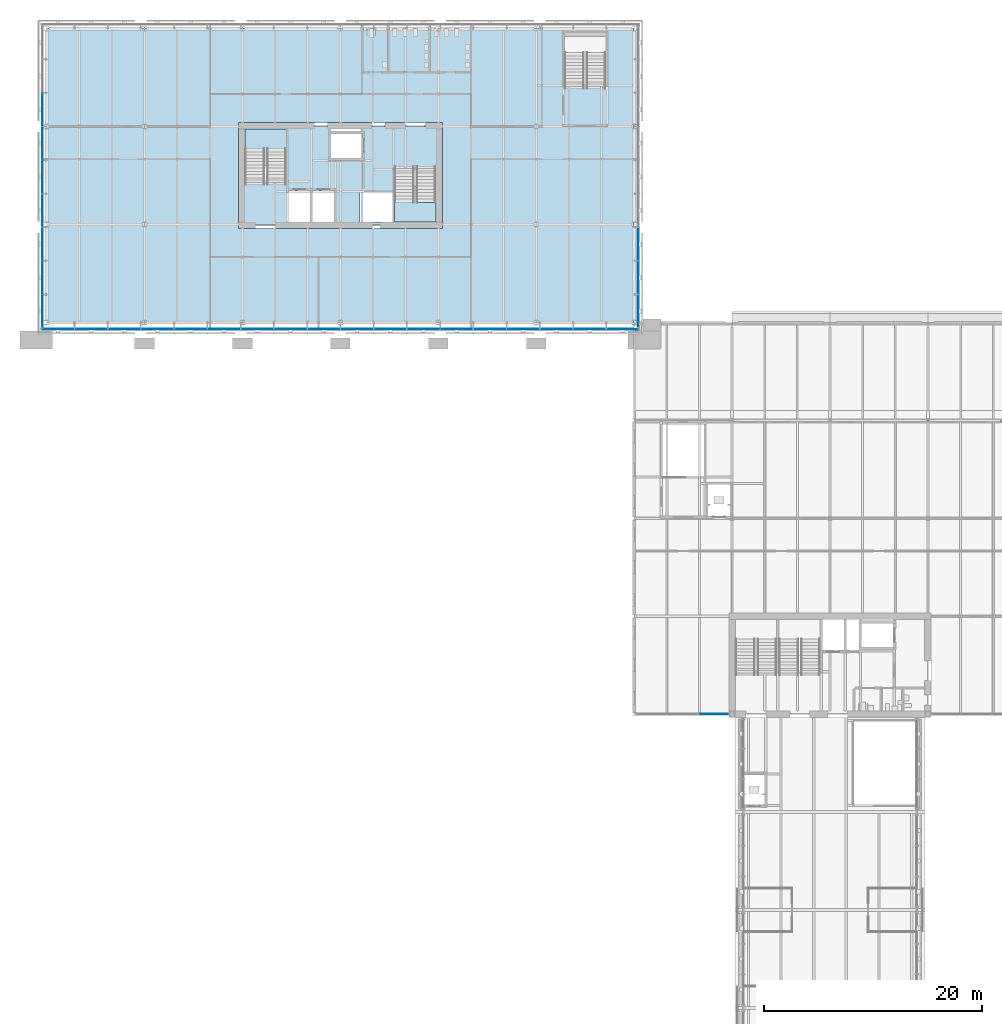
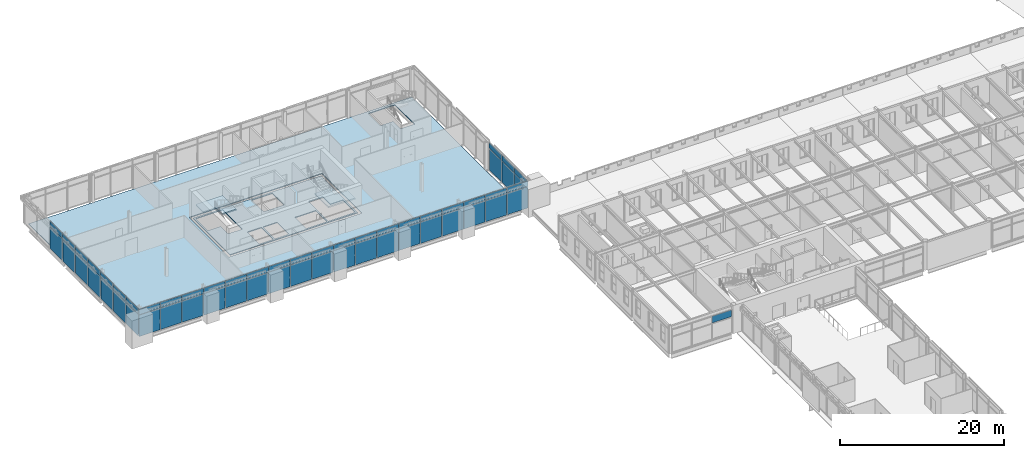
# One storey, part 54 of 123: 57 plates, 4 slabs, 6 elements without a shape of their own.
"""IFC4 building model written with IfcOpenShell, lengths in metres."""

from ifc_helpers import new_model, si_unit, direction, frame, origin, origin_2d, place, context, subcontext, project, spatial, polyline, rectangle, outline, extrude, material, layer, layer_set, type_object, element, aggregate, save


model = new_model("IFC4")

# Units and contexts
model_context = context("Model", 3, precision=1e-05, world=origin(), true_north=direction((0.0, 1.0)))
body_context = subcontext(model_context, "Body", "Model", "MODEL_VIEW")
ifc_project = project(units=[si_unit("LENGTHUNIT", "METRE"), si_unit("AREAUNIT", "SQUARE_METRE"), si_unit("VOLUMEUNIT", "CUBIC_METRE"), si_unit("PLANEANGLEUNIT", "RADIAN"), si_unit("MASSUNIT", "GRAM", prefix="KILO")], contexts=[model_context])

# Site, building, storey
site_placement = place(None, origin())
site = spatial("IfcSite", under=ifc_project, at=site_placement, CompositionType="ELEMENT")
building_placement = place(site_placement, origin())
building = spatial("IfcBuilding", under=site, at=building_placement, Name="Baradari Gate Terminus", CompositionType="ELEMENT")
storey_placement = place(building_placement, frame((0.0, 0.0, 7.5)))
storey = spatial("IfcBuildingStorey", under=building, at=storey_placement, Name="L01", CompositionType="ELEMENT", Elevation=7.5)

# Slabs
ifc_material_1 = material(Name="Concrete C35/45", Category="concrete")
ifc_layer_1 = layer(ifc_material_1, 0.1298828125)
ifc_layer_set_1 = layer_set([ifc_layer_1], Name="Concrete C35/45")
slab_type_1 = type_object("IfcSlabType", Name="Composite floor slab SL1 130", PredefinedType="FLOOR", material=ifc_layer_set_1)
slab_1_placement = place(storey_placement, frame((0.0, 0.0, -0.1298828125)))
element("IfcSlab", 1, at=slab_1_placement, inside=storey, type_object=slab_type_1, Name="Block floor", PredefinedType="FLOOR", context=body_context, shape_type="SweptSolid", body=[
    extrude(outline(polyline([(63.0, 117.0), (63.0, 144.0), (9.0, 144.0), (9.0, 117.0), (63.0, 117.0)]), holes=[polyline([(56.60009765625, 143.60009765625), (56.60009765625, 140.6201171875), (58.39990234375, 140.6201171875), (58.39990234375, 138.800048828125), (60.39990234375, 138.800048828125), (60.39990234375, 143.60009765625), (56.60009765625, 143.60009765625)]), polyline([(45.375, 134.77490234375), (45.375, 135.375), (26.625, 135.375), (26.625, 134.77490234375), (26.625, 126.22509765625), (26.625, 125.625), (45.375, 125.625), (45.375, 126.22509765625), (45.375, 134.77490234375)])]), origin(), (0.0, 0.0, 1.0), 0.1298828125),
])
slab_2_placement = place(storey_placement, frame((0.0, 0.0, -0.1298828125)))
element("IfcSlab", 2, at=slab_2_placement, inside=storey, type_object=slab_type_1, Name="Core floor CT", PredefinedType="FLOOR", context=body_context, shape_type="SweptSolid", body=[
    extrude(outline(polyline([(27.0, 135.0), (27.0, 126.0), (45.0, 126.0), (45.0, 135.0), (27.0, 135.0)]), holes=[polyline([(44.77490234375, 126.22509765625), (44.77490234375, 129.205078125), (42.97509765625, 129.205078125), (42.97509765625, 131.02490234375), (40.97509765625, 131.02490234375), (40.97509765625, 126.22509765625), (44.77490234375, 126.22509765625)]), polyline([(40.77490234375, 128.925048828125), (37.824951171875, 128.925048828125), (37.824951171875, 126.22509765625), (40.77490234375, 126.22509765625), (40.77490234375, 128.925048828125)]), polyline([(38.02490234375, 131.875), (38.02490234375, 134.77490234375), (35.125, 134.77490234375), (35.125, 131.875), (38.02490234375, 131.875)]), polyline([(35.425048828125, 129.125), (33.425048828125, 129.125), (33.425048828125, 126.22509765625), (35.425048828125, 126.22509765625), (35.425048828125, 129.125)]), polyline([(31.22509765625, 129.125), (31.22509765625, 126.22509765625), (33.22509765625, 126.22509765625), (33.22509765625, 129.125), (31.22509765625, 129.125)]), polyline([(27.22509765625, 134.77490234375), (27.22509765625, 131.794921875), (29.02490234375, 131.794921875), (29.02490234375, 129.97509765625), (31.02490234375, 129.97509765625), (31.02490234375, 134.77490234375), (27.22509765625, 134.77490234375)])]), origin(), (0.0, 0.0, 1.0), 0.1298828125),
])

# Curtain wall, plate
ifc_material_2 = material(Name="Aluminium 6063-T6", Category="aluminium")
curtain_wall_type_1 = type_object("IfcCurtainWallType", Name="Curtain wall CW-13 concourse gallery glazing", PredefinedType="NOTDEFINED", material=ifc_material_2)
curtain_wall_1_placement = place(storey_placement, origin())
curtain_wall_1 = element("IfcCurtainWall", 3, at=curtain_wall_1_placement, inside=storey, type_object=curtain_wall_type_1, Name="Glazed curtain wall CW-13 HS bay 8 L01", PredefinedType="NOTDEFINED")
ifc_material_3 = material(Name="Insulating glass unit", Category="glass")
ifc_layer_2 = layer(ifc_material_3, 0.0400390625)
ifc_layer_set_2 = layer_set([ifc_layer_2], Name="Insulating glass unit")
plate_type_1 = type_object("IfcPlateType", Name="Curtain wall glazing unit CP-13 40", PredefinedType="CURTAIN_PANEL", material=ifc_layer_set_2)
plate_1_placement = place(storey_placement, frame((70.29736328125, 81.0, 2.43994140625), z_axis=(0.0, 0.0, 1.0), x_axis=(1.0, 0.0, 0.0)))
plate_1 = element("IfcPlate", 4, at=plate_1_placement, type_object=plate_type_1, Name="CW-13 panel 3.2", PredefinedType="CURTAIN_PANEL", context=body_context, shape_type="SweptSolid", body=[
    extrude(rectangle(XDim=2.745361328125, YDim=0.0400390625, at=origin_2d()), origin(), (0.0, 0.0, 1.0), 0.996826171875),
])
aggregate(curtain_wall_1, [plate_1])

# Curtain wall, plates
ifc_material_4 = material(Name="Aluminium 6063-T6", Category="aluminium")
curtain_wall_type_2 = type_object("IfcCurtainWallType", Name="Curtain wall CW-9 block gallery storey", PredefinedType="NOTDEFINED", material=ifc_material_4)
curtain_wall_2_placement = place(storey_placement, origin())
curtain_wall_2 = element("IfcCurtainWall", 5, at=curtain_wall_2_placement, inside=storey, type_object=curtain_wall_type_2, Name="Curtain wall CW-9 Operations block S face L01", PredefinedType="NOTDEFINED")
ifc_material_5 = material(Name="Insulating glass unit", Category="glass")
ifc_layer_3 = layer(ifc_material_5, 0.02001953125)
ifc_layer_set_3 = layer_set([ifc_layer_3], Name="Insulating glass unit")
plate_type_2 = type_object("IfcPlateType", Name="Curtain wall glazing unit CP-9 20", PredefinedType="CURTAIN_PANEL", material=ifc_layer_set_3)
plate_2_placement = place(storey_placement, frame((10.050048828125, 116.367431640625, 0.06982421875), z_axis=(0.0, 0.0, 1.0), x_axis=(1.0, 0.0, 0.0)))
plate_2 = element("IfcPlate", 6, at=plate_2_placement, type_object=plate_type_2, Name="CW-9 panel 1.1", PredefinedType="CURTAIN_PANEL", context=body_context, shape_type="SweptSolid", body=[
    extrude(rectangle(XDim=2.949951171875, YDim=0.02001953125, at=origin_2d()), origin(), (0.0, 0.0, 1.0), 3.195068359375),
])
plate_3_placement = place(storey_placement, frame((13.08740234375, 116.367431640625, 0.06982421875), z_axis=(0.0, 0.0, 1.0), x_axis=(1.0, 0.0, 0.0)))
plate_3 = element("IfcPlate", 7, at=plate_3_placement, type_object=plate_type_2, Name="CW-9 panel 2.1", PredefinedType="CURTAIN_PANEL", context=body_context, shape_type="SweptSolid", body=[
    extrude(rectangle(XDim=2.985107421875, YDim=0.02001953125, at=origin_2d()), origin(), (0.0, 0.0, 1.0), 3.195068359375),
])
plate_4_placement = place(storey_placement, frame((16.142578125, 116.367431640625, 0.06982421875), z_axis=(0.0, 0.0, 1.0), x_axis=(1.0, 0.0, 0.0)))
plate_4 = element("IfcPlate", 8, at=plate_4_placement, type_object=plate_type_2, Name="CW-9 panel 3.1", PredefinedType="CURTAIN_PANEL", context=body_context, shape_type="SweptSolid", body=[
    extrude(rectangle(XDim=2.985107421875, YDim=0.02001953125, at=origin_2d()), origin(), (0.0, 0.0, 1.0), 3.195068359375),
])
plate_5_placement = place(storey_placement, frame((19.197509765625, 116.367431640625, 0.06982421875), z_axis=(0.0, 0.0, 1.0), x_axis=(1.0, 0.0, 0.0)))
plate_5 = element("IfcPlate", 9, at=plate_5_placement, type_object=plate_type_2, Name="CW-9 panel 4.1", PredefinedType="CURTAIN_PANEL", context=body_context, shape_type="SweptSolid", body=[
    extrude(rectangle(XDim=2.985107421875, YDim=0.02001953125, at=origin_2d()), origin(), (0.0, 0.0, 1.0), 3.195068359375),
])
plate_6_placement = place(storey_placement, frame((22.25244140625, 116.367431640625, 0.06982421875), z_axis=(0.0, 0.0, 1.0), x_axis=(1.0, 0.0, 0.0)))
plate_6 = element("IfcPlate", 10, at=plate_6_placement, type_object=plate_type_2, Name="CW-9 panel 5.1", PredefinedType="CURTAIN_PANEL", context=body_context, shape_type="SweptSolid", body=[
    extrude(rectangle(XDim=2.985107421875, YDim=0.02001953125, at=origin_2d()), origin(), (0.0, 0.0, 1.0), 3.195068359375),
])
plate_7_placement = place(storey_placement, frame((25.3076171875, 116.367431640625, 0.06982421875), z_axis=(0.0, 0.0, 1.0), x_axis=(1.0, 0.0, 0.0)))
plate_7 = element("IfcPlate", 11, at=plate_7_placement, type_object=plate_type_2, Name="CW-9 panel 6.1", PredefinedType="CURTAIN_PANEL", context=body_context, shape_type="SweptSolid", body=[
    extrude(rectangle(XDim=2.985107421875, YDim=0.02001953125, at=origin_2d()), origin(), (0.0, 0.0, 1.0), 3.195068359375),
])
plate_8_placement = place(storey_placement, frame((28.362548828125, 116.367431640625, 0.06982421875), z_axis=(0.0, 0.0, 1.0), x_axis=(1.0, 0.0, 0.0)))
plate_8 = element("IfcPlate", 12, at=plate_8_placement, type_object=plate_type_2, Name="CW-9 panel 7.1", PredefinedType="CURTAIN_PANEL", context=body_context, shape_type="SweptSolid", body=[
    extrude(rectangle(XDim=2.985107421875, YDim=0.02001953125, at=origin_2d()), origin(), (0.0, 0.0, 1.0), 3.195068359375),
])
plate_9_placement = place(storey_placement, frame((31.41748046875, 116.367431640625, 0.06982421875), z_axis=(0.0, 0.0, 1.0), x_axis=(1.0, 0.0, 0.0)))
plate_9 = element("IfcPlate", 13, at=plate_9_placement, type_object=plate_type_2, Name="CW-9 panel 8.1", PredefinedType="CURTAIN_PANEL", context=body_context, shape_type="SweptSolid", body=[
    extrude(rectangle(XDim=2.985107421875, YDim=0.02001953125, at=origin_2d()), origin(), (0.0, 0.0, 1.0), 3.195068359375),
])
plate_10_placement = place(storey_placement, frame((34.472412109375, 116.367431640625, 0.06982421875), z_axis=(0.0, 0.0, 1.0), x_axis=(1.0, 0.0, 0.0)))
plate_10 = element("IfcPlate", 14, at=plate_10_placement, type_object=plate_type_2, Name="CW-9 panel 9.1", PredefinedType="CURTAIN_PANEL", context=body_context, shape_type="SweptSolid", body=[
    extrude(rectangle(XDim=2.985107421875, YDim=0.02001953125, at=origin_2d()), origin(), (0.0, 0.0, 1.0), 3.195068359375),
])
plate_11_placement = place(storey_placement, frame((37.527587890625, 116.367431640625, 0.06982421875), z_axis=(0.0, 0.0, 1.0), x_axis=(1.0, 0.0, 0.0)))
plate_11 = element("IfcPlate", 15, at=plate_11_placement, type_object=plate_type_2, Name="CW-9 panel 10.1", PredefinedType="CURTAIN_PANEL", context=body_context, shape_type="SweptSolid", body=[
    extrude(rectangle(XDim=2.985107421875, YDim=0.02001953125, at=origin_2d()), origin(), (0.0, 0.0, 1.0), 3.195068359375),
])
plate_12_placement = place(storey_placement, frame((40.58251953125, 116.367431640625, 0.06982421875), z_axis=(0.0, 0.0, 1.0), x_axis=(1.0, 0.0, 0.0)))
plate_12 = element("IfcPlate", 16, at=plate_12_placement, type_object=plate_type_2, Name="CW-9 panel 11.1", PredefinedType="CURTAIN_PANEL", context=body_context, shape_type="SweptSolid", body=[
    extrude(rectangle(XDim=2.985107421875, YDim=0.02001953125, at=origin_2d()), origin(), (0.0, 0.0, 1.0), 3.195068359375),
])
plate_13_placement = place(storey_placement, frame((43.637451171875, 116.367431640625, 0.06982421875), z_axis=(0.0, 0.0, 1.0), x_axis=(1.0, 0.0, 0.0)))
plate_13 = element("IfcPlate", 17, at=plate_13_placement, type_object=plate_type_2, Name="CW-9 panel 12.1", PredefinedType="CURTAIN_PANEL", context=body_context, shape_type="SweptSolid", body=[
    extrude(rectangle(XDim=2.985107421875, YDim=0.02001953125, at=origin_2d()), origin(), (0.0, 0.0, 1.0), 3.195068359375),
])
plate_14_placement = place(storey_placement, frame((46.6923828125, 116.367431640625, 0.06982421875), z_axis=(0.0, 0.0, 1.0), x_axis=(1.0, 0.0, 0.0)))
plate_14 = element("IfcPlate", 18, at=plate_14_placement, type_object=plate_type_2, Name="CW-9 panel 13.1", PredefinedType="CURTAIN_PANEL", context=body_context, shape_type="SweptSolid", body=[
    extrude(rectangle(XDim=2.985107421875, YDim=0.02001953125, at=origin_2d()), origin(), (0.0, 0.0, 1.0), 3.195068359375),
])
plate_15_placement = place(storey_placement, frame((49.74755859375, 116.367431640625, 0.06982421875), z_axis=(0.0, 0.0, 1.0), x_axis=(1.0, 0.0, 0.0)))
plate_15 = element("IfcPlate", 19, at=plate_15_placement, type_object=plate_type_2, Name="CW-9 panel 14.1", PredefinedType="CURTAIN_PANEL", context=body_context, shape_type="SweptSolid", body=[
    extrude(rectangle(XDim=2.985107421875, YDim=0.02001953125, at=origin_2d()), origin(), (0.0, 0.0, 1.0), 3.195068359375),
])
plate_16_placement = place(storey_placement, frame((52.802490234375, 116.367431640625, 0.06982421875), z_axis=(0.0, 0.0, 1.0), x_axis=(1.0, 0.0, 0.0)))
plate_16 = element("IfcPlate", 20, at=plate_16_placement, type_object=plate_type_2, Name="CW-9 panel 15.1", PredefinedType="CURTAIN_PANEL", context=body_context, shape_type="SweptSolid", body=[
    extrude(rectangle(XDim=2.985107421875, YDim=0.02001953125, at=origin_2d()), origin(), (0.0, 0.0, 1.0), 3.195068359375),
])
plate_17_placement = place(storey_placement, frame((55.857421875, 116.367431640625, 0.06982421875), z_axis=(0.0, 0.0, 1.0), x_axis=(1.0, 0.0, 0.0)))
plate_17 = element("IfcPlate", 21, at=plate_17_placement, type_object=plate_type_2, Name="CW-9 panel 16.1", PredefinedType="CURTAIN_PANEL", context=body_context, shape_type="SweptSolid", body=[
    extrude(rectangle(XDim=2.985107421875, YDim=0.02001953125, at=origin_2d()), origin(), (0.0, 0.0, 1.0), 3.195068359375),
])
plate_18_placement = place(storey_placement, frame((58.91259765625, 116.367431640625, 0.06982421875), z_axis=(0.0, 0.0, 1.0), x_axis=(1.0, 0.0, 0.0)))
plate_18 = element("IfcPlate", 22, at=plate_18_placement, type_object=plate_type_2, Name="CW-9 panel 17.1", PredefinedType="CURTAIN_PANEL", context=body_context, shape_type="SweptSolid", body=[
    extrude(rectangle(XDim=2.985107421875, YDim=0.02001953125, at=origin_2d()), origin(), (0.0, 0.0, 1.0), 3.195068359375),
])
plate_19_placement = place(storey_placement, frame((61.949951171875, 116.367431640625, 0.06982421875), z_axis=(0.0, 0.0, 1.0), x_axis=(1.0, 0.0, 0.0)))
plate_19 = element("IfcPlate", 23, at=plate_19_placement, type_object=plate_type_2, Name="CW-9 panel 18.1", PredefinedType="CURTAIN_PANEL", context=body_context, shape_type="SweptSolid", body=[
    extrude(rectangle(XDim=2.949951171875, YDim=0.02001953125, at=origin_2d()), origin(), (0.0, 0.0, 1.0), 3.195068359375),
])

curtain_wall_3_placement = place(storey_placement, origin())
curtain_wall_3 = element("IfcCurtainWall", 24, at=curtain_wall_3_placement, inside=storey, type_object=curtain_wall_type_2, Name="Curtain wall CW-9 Operations block W face L01", PredefinedType="NOTDEFINED")
plate_20_placement = place(storey_placement, frame((8.617431640625, 118.04150390625, 0.06982421875), z_axis=(0.0, 0.0, 1.0), x_axis=(0.0, 1.0, 0.0)))
plate_20 = element("IfcPlate", 25, at=plate_20_placement, type_object=plate_type_2, Name="CW-9 panel 1.1", PredefinedType="CURTAIN_PANEL", context=body_context, shape_type="SweptSolid", body=[
    extrude(rectangle(XDim=2.982666015625, YDim=0.02001953125, at=origin_2d()), origin(), (0.0, 0.0, 1.0), 3.195068359375),
])
plate_21_placement = place(storey_placement, frame((8.617431640625, 121.111572265625, 0.06982421875), z_axis=(0.0, 0.0, 1.0), x_axis=(0.0, 1.0, 0.0)))
plate_21 = element("IfcPlate", 26, at=plate_21_placement, type_object=plate_type_2, Name="CW-9 panel 2.1", PredefinedType="CURTAIN_PANEL", context=body_context, shape_type="SweptSolid", body=[
    extrude(rectangle(XDim=3.017822265625, YDim=0.02001953125, at=origin_2d()), origin(), (0.0, 0.0, 1.0), 3.195068359375),
])
plate_22_placement = place(storey_placement, frame((8.617431640625, 124.199462890625, 0.06982421875), z_axis=(0.0, 0.0, 1.0), x_axis=(0.0, 1.0, 0.0)))
plate_22 = element("IfcPlate", 27, at=plate_22_placement, type_object=plate_type_2, Name="CW-9 panel 3.1", PredefinedType="CURTAIN_PANEL", context=body_context, shape_type="SweptSolid", body=[
    extrude(rectangle(XDim=3.017822265625, YDim=0.02001953125, at=origin_2d()), origin(), (0.0, 0.0, 1.0), 3.195068359375),
])
plate_23_placement = place(storey_placement, frame((8.617431640625, 127.287109375, 0.06982421875), z_axis=(0.0, 0.0, 1.0), x_axis=(0.0, 1.0, 0.0)))
plate_23 = element("IfcPlate", 28, at=plate_23_placement, type_object=plate_type_2, Name="CW-9 panel 4.1", PredefinedType="CURTAIN_PANEL", context=body_context, shape_type="SweptSolid", body=[
    extrude(rectangle(XDim=3.017822265625, YDim=0.02001953125, at=origin_2d()), origin(), (0.0, 0.0, 1.0), 3.195068359375),
])
plate_24_placement = place(storey_placement, frame((8.617431640625, 130.375, 0.06982421875), z_axis=(0.0, 0.0, 1.0), x_axis=(0.0, 1.0, 0.0)))
plate_24 = element("IfcPlate", 29, at=plate_24_placement, type_object=plate_type_2, Name="CW-9 panel 5.1", PredefinedType="CURTAIN_PANEL", context=body_context, shape_type="SweptSolid", body=[
    extrude(rectangle(XDim=3.017822265625, YDim=0.02001953125, at=origin_2d()), origin(), (0.0, 0.0, 1.0), 3.195068359375),
])
plate_25_placement = place(storey_placement, frame((8.617431640625, 133.462890625, 0.06982421875), z_axis=(0.0, 0.0, 1.0), x_axis=(0.0, 1.0, 0.0)))
plate_25 = element("IfcPlate", 30, at=plate_25_placement, type_object=plate_type_2, Name="CW-9 panel 6.1", PredefinedType="CURTAIN_PANEL", context=body_context, shape_type="SweptSolid", body=[
    extrude(rectangle(XDim=3.017822265625, YDim=0.02001953125, at=origin_2d()), origin(), (0.0, 0.0, 1.0), 3.195068359375),
])
plate_26_placement = place(storey_placement, frame((8.617431640625, 136.550537109375, 0.06982421875), z_axis=(0.0, 0.0, 1.0), x_axis=(0.0, 1.0, 0.0)))
plate_26 = element("IfcPlate", 31, at=plate_26_placement, type_object=plate_type_2, Name="CW-9 panel 7.1", PredefinedType="CURTAIN_PANEL", context=body_context, shape_type="SweptSolid", body=[
    extrude(rectangle(XDim=3.017822265625, YDim=0.02001953125, at=origin_2d()), origin(), (0.0, 0.0, 1.0), 3.195068359375),
])

curtain_wall_4_placement = place(storey_placement, origin())
curtain_wall_4 = element("IfcCurtainWall", 32, at=curtain_wall_4_placement, inside=storey, type_object=curtain_wall_type_2, Name="Curtain wall CW-9 Operations block E face L01", PredefinedType="NOTDEFINED")
plate_27_placement = place(storey_placement, frame((63.382568359375, 118.04150390625, 0.06982421875), z_axis=(0.0, 0.0, 1.0), x_axis=(0.0, 1.0, 0.0)))
plate_27 = element("IfcPlate", 33, at=plate_27_placement, type_object=plate_type_2, Name="CW-9 panel 1.1", PredefinedType="CURTAIN_PANEL", context=body_context, shape_type="SweptSolid", body=[
    extrude(rectangle(XDim=2.982666015625, YDim=0.02001953125, at=origin_2d()), origin(), (0.0, 0.0, 1.0), 3.195068359375),
])
plate_28_placement = place(storey_placement, frame((63.382568359375, 121.111572265625, 0.06982421875), z_axis=(0.0, 0.0, 1.0), x_axis=(0.0, 1.0, 0.0)))
plate_28 = element("IfcPlate", 34, at=plate_28_placement, type_object=plate_type_2, Name="CW-9 panel 2.1", PredefinedType="CURTAIN_PANEL", context=body_context, shape_type="SweptSolid", body=[
    extrude(rectangle(XDim=3.017822265625, YDim=0.02001953125, at=origin_2d()), origin(), (0.0, 0.0, 1.0), 3.195068359375),
])
plate_29_placement = place(storey_placement, frame((63.382568359375, 124.199462890625, 0.06982421875), z_axis=(0.0, 0.0, 1.0), x_axis=(0.0, 1.0, 0.0)))
plate_29 = element("IfcPlate", 35, at=plate_29_placement, type_object=plate_type_2, Name="CW-9 panel 3.1", PredefinedType="CURTAIN_PANEL", context=body_context, shape_type="SweptSolid", body=[
    extrude(rectangle(XDim=3.017822265625, YDim=0.02001953125, at=origin_2d()), origin(), (0.0, 0.0, 1.0), 3.195068359375),
])

# Plate
ifc_material_6 = material(Name="Back-painted glass", Category="glass")
ifc_layer_4 = layer(ifc_material_6, 0.070068359375)
ifc_layer_set_4 = layer_set([ifc_layer_4], Name="Back-painted glass")
plate_type_3 = type_object("IfcPlateType", Name="Curtain wall spandrel panel CP-S9 70", PredefinedType="CURTAIN_PANEL", material=ifc_layer_set_4)
plate_30_placement = place(storey_placement, frame((10.050048828125, 116.367431640625, 3.3349609375), z_axis=(0.0, 0.0, 1.0), x_axis=(1.0, 0.0, 0.0)))
plate_30 = element("IfcPlate", 36, at=plate_30_placement, type_object=plate_type_3, Name="CW-9 spandrel panel 1.2", PredefinedType="CURTAIN_PANEL", context=body_context, shape_type="SweptSolid", body=[
    extrude(rectangle(XDim=2.949951171875, YDim=0.070068359375, at=origin_2d()), origin(), (0.0, 0.0, 1.0), 0.794921875),
])

plate_31_placement = place(storey_placement, frame((13.08740234375, 116.367431640625, 3.3349609375), z_axis=(0.0, 0.0, 1.0), x_axis=(1.0, 0.0, 0.0)))
plate_31 = element("IfcPlate", 37, at=plate_31_placement, type_object=plate_type_3, Name="CW-9 spandrel panel 2.2", PredefinedType="CURTAIN_PANEL", context=body_context, shape_type="SweptSolid", body=[
    extrude(rectangle(XDim=2.985107421875, YDim=0.070068359375, at=origin_2d()), origin(), (0.0, 0.0, 1.0), 0.794921875),
])

plate_32_placement = place(storey_placement, frame((16.142578125, 116.367431640625, 3.3349609375), z_axis=(0.0, 0.0, 1.0), x_axis=(1.0, 0.0, 0.0)))
plate_32 = element("IfcPlate", 38, at=plate_32_placement, type_object=plate_type_3, Name="CW-9 spandrel panel 3.2", PredefinedType="CURTAIN_PANEL", context=body_context, shape_type="SweptSolid", body=[
    extrude(rectangle(XDim=2.985107421875, YDim=0.070068359375, at=origin_2d()), origin(), (0.0, 0.0, 1.0), 0.794921875),
])

plate_33_placement = place(storey_placement, frame((19.197509765625, 116.367431640625, 3.3349609375), z_axis=(0.0, 0.0, 1.0), x_axis=(1.0, 0.0, 0.0)))
plate_33 = element("IfcPlate", 39, at=plate_33_placement, type_object=plate_type_3, Name="CW-9 spandrel panel 4.2", PredefinedType="CURTAIN_PANEL", context=body_context, shape_type="SweptSolid", body=[
    extrude(rectangle(XDim=2.985107421875, YDim=0.070068359375, at=origin_2d()), origin(), (0.0, 0.0, 1.0), 0.794921875),
])

plate_34_placement = place(storey_placement, frame((22.25244140625, 116.367431640625, 3.3349609375), z_axis=(0.0, 0.0, 1.0), x_axis=(1.0, 0.0, 0.0)))
plate_34 = element("IfcPlate", 40, at=plate_34_placement, type_object=plate_type_3, Name="CW-9 spandrel panel 5.2", PredefinedType="CURTAIN_PANEL", context=body_context, shape_type="SweptSolid", body=[
    extrude(rectangle(XDim=2.985107421875, YDim=0.070068359375, at=origin_2d()), origin(), (0.0, 0.0, 1.0), 0.794921875),
])

plate_35_placement = place(storey_placement, frame((25.3076171875, 116.367431640625, 3.3349609375), z_axis=(0.0, 0.0, 1.0), x_axis=(1.0, 0.0, 0.0)))
plate_35 = element("IfcPlate", 41, at=plate_35_placement, type_object=plate_type_3, Name="CW-9 spandrel panel 6.2", PredefinedType="CURTAIN_PANEL", context=body_context, shape_type="SweptSolid", body=[
    extrude(rectangle(XDim=2.985107421875, YDim=0.070068359375, at=origin_2d()), origin(), (0.0, 0.0, 1.0), 0.794921875),
])

plate_36_placement = place(storey_placement, frame((28.362548828125, 116.367431640625, 3.3349609375), z_axis=(0.0, 0.0, 1.0), x_axis=(1.0, 0.0, 0.0)))
plate_36 = element("IfcPlate", 42, at=plate_36_placement, type_object=plate_type_3, Name="CW-9 spandrel panel 7.2", PredefinedType="CURTAIN_PANEL", context=body_context, shape_type="SweptSolid", body=[
    extrude(rectangle(XDim=2.985107421875, YDim=0.070068359375, at=origin_2d()), origin(), (0.0, 0.0, 1.0), 0.794921875),
])

plate_37_placement = place(storey_placement, frame((31.41748046875, 116.367431640625, 3.3349609375), z_axis=(0.0, 0.0, 1.0), x_axis=(1.0, 0.0, 0.0)))
plate_37 = element("IfcPlate", 43, at=plate_37_placement, type_object=plate_type_3, Name="CW-9 spandrel panel 8.2", PredefinedType="CURTAIN_PANEL", context=body_context, shape_type="SweptSolid", body=[
    extrude(rectangle(XDim=2.985107421875, YDim=0.070068359375, at=origin_2d()), origin(), (0.0, 0.0, 1.0), 0.794921875),
])

plate_38_placement = place(storey_placement, frame((34.472412109375, 116.367431640625, 3.3349609375), z_axis=(0.0, 0.0, 1.0), x_axis=(1.0, 0.0, 0.0)))
plate_38 = element("IfcPlate", 44, at=plate_38_placement, type_object=plate_type_3, Name="CW-9 spandrel panel 9.2", PredefinedType="CURTAIN_PANEL", context=body_context, shape_type="SweptSolid", body=[
    extrude(rectangle(XDim=2.985107421875, YDim=0.070068359375, at=origin_2d()), origin(), (0.0, 0.0, 1.0), 0.794921875),
])

plate_39_placement = place(storey_placement, frame((37.527587890625, 116.367431640625, 3.3349609375), z_axis=(0.0, 0.0, 1.0), x_axis=(1.0, 0.0, 0.0)))
plate_39 = element("IfcPlate", 45, at=plate_39_placement, type_object=plate_type_3, Name="CW-9 spandrel panel 10.2", PredefinedType="CURTAIN_PANEL", context=body_context, shape_type="SweptSolid", body=[
    extrude(rectangle(XDim=2.985107421875, YDim=0.070068359375, at=origin_2d()), origin(), (0.0, 0.0, 1.0), 0.794921875),
])

plate_40_placement = place(storey_placement, frame((40.58251953125, 116.367431640625, 3.3349609375), z_axis=(0.0, 0.0, 1.0), x_axis=(1.0, 0.0, 0.0)))
plate_40 = element("IfcPlate", 46, at=plate_40_placement, type_object=plate_type_3, Name="CW-9 spandrel panel 11.2", PredefinedType="CURTAIN_PANEL", context=body_context, shape_type="SweptSolid", body=[
    extrude(rectangle(XDim=2.985107421875, YDim=0.070068359375, at=origin_2d()), origin(), (0.0, 0.0, 1.0), 0.794921875),
])

plate_41_placement = place(storey_placement, frame((43.637451171875, 116.367431640625, 3.3349609375), z_axis=(0.0, 0.0, 1.0), x_axis=(1.0, 0.0, 0.0)))
plate_41 = element("IfcPlate", 47, at=plate_41_placement, type_object=plate_type_3, Name="CW-9 spandrel panel 12.2", PredefinedType="CURTAIN_PANEL", context=body_context, shape_type="SweptSolid", body=[
    extrude(rectangle(XDim=2.985107421875, YDim=0.070068359375, at=origin_2d()), origin(), (0.0, 0.0, 1.0), 0.794921875),
])

plate_42_placement = place(storey_placement, frame((46.6923828125, 116.367431640625, 3.3349609375), z_axis=(0.0, 0.0, 1.0), x_axis=(1.0, 0.0, 0.0)))
plate_42 = element("IfcPlate", 48, at=plate_42_placement, type_object=plate_type_3, Name="CW-9 spandrel panel 13.2", PredefinedType="CURTAIN_PANEL", context=body_context, shape_type="SweptSolid", body=[
    extrude(rectangle(XDim=2.985107421875, YDim=0.070068359375, at=origin_2d()), origin(), (0.0, 0.0, 1.0), 0.794921875),
])

plate_43_placement = place(storey_placement, frame((49.74755859375, 116.367431640625, 3.3349609375), z_axis=(0.0, 0.0, 1.0), x_axis=(1.0, 0.0, 0.0)))
plate_43 = element("IfcPlate", 49, at=plate_43_placement, type_object=plate_type_3, Name="CW-9 spandrel panel 14.2", PredefinedType="CURTAIN_PANEL", context=body_context, shape_type="SweptSolid", body=[
    extrude(rectangle(XDim=2.985107421875, YDim=0.070068359375, at=origin_2d()), origin(), (0.0, 0.0, 1.0), 0.794921875),
])

plate_44_placement = place(storey_placement, frame((52.802490234375, 116.367431640625, 3.3349609375), z_axis=(0.0, 0.0, 1.0), x_axis=(1.0, 0.0, 0.0)))
plate_44 = element("IfcPlate", 50, at=plate_44_placement, type_object=plate_type_3, Name="CW-9 spandrel panel 15.2", PredefinedType="CURTAIN_PANEL", context=body_context, shape_type="SweptSolid", body=[
    extrude(rectangle(XDim=2.985107421875, YDim=0.070068359375, at=origin_2d()), origin(), (0.0, 0.0, 1.0), 0.794921875),
])

plate_45_placement = place(storey_placement, frame((55.857421875, 116.367431640625, 3.3349609375), z_axis=(0.0, 0.0, 1.0), x_axis=(1.0, 0.0, 0.0)))
plate_45 = element("IfcPlate", 51, at=plate_45_placement, type_object=plate_type_3, Name="CW-9 spandrel panel 16.2", PredefinedType="CURTAIN_PANEL", context=body_context, shape_type="SweptSolid", body=[
    extrude(rectangle(XDim=2.985107421875, YDim=0.070068359375, at=origin_2d()), origin(), (0.0, 0.0, 1.0), 0.794921875),
])

plate_46_placement = place(storey_placement, frame((58.91259765625, 116.367431640625, 3.3349609375), z_axis=(0.0, 0.0, 1.0), x_axis=(1.0, 0.0, 0.0)))
plate_46 = element("IfcPlate", 52, at=plate_46_placement, type_object=plate_type_3, Name="CW-9 spandrel panel 17.2", PredefinedType="CURTAIN_PANEL", context=body_context, shape_type="SweptSolid", body=[
    extrude(rectangle(XDim=2.985107421875, YDim=0.070068359375, at=origin_2d()), origin(), (0.0, 0.0, 1.0), 0.794921875),
])

plate_47_placement = place(storey_placement, frame((61.949951171875, 116.367431640625, 3.3349609375), z_axis=(0.0, 0.0, 1.0), x_axis=(1.0, 0.0, 0.0)))
plate_47 = element("IfcPlate", 53, at=plate_47_placement, type_object=plate_type_3, Name="CW-9 spandrel panel 18.2", PredefinedType="CURTAIN_PANEL", context=body_context, shape_type="SweptSolid", body=[
    extrude(rectangle(XDim=2.949951171875, YDim=0.070068359375, at=origin_2d()), origin(), (0.0, 0.0, 1.0), 0.794921875),
])

aggregate(curtain_wall_2, [plate_2, plate_30, plate_3, plate_31, plate_4, plate_32, plate_5, plate_33, plate_6, plate_34, plate_7, plate_35, plate_8, plate_36, plate_9, plate_37, plate_10, plate_38, plate_11, plate_39, plate_12, plate_40, plate_13, plate_41, plate_14, plate_42, plate_15, plate_43, plate_16, plate_44, plate_17, plate_45, plate_18, plate_46, plate_19, plate_47])

plate_48_placement = place(storey_placement, frame((8.617431640625, 118.04150390625, 3.3349609375), z_axis=(0.0, 0.0, 1.0), x_axis=(0.0, 1.0, 0.0)))
plate_48 = element("IfcPlate", 54, at=plate_48_placement, type_object=plate_type_3, Name="CW-9 spandrel panel 1.2", PredefinedType="CURTAIN_PANEL", context=body_context, shape_type="SweptSolid", body=[
    extrude(rectangle(XDim=2.982666015625, YDim=0.070068359375, at=origin_2d()), origin(), (0.0, 0.0, 1.0), 0.794921875),
])

plate_49_placement = place(storey_placement, frame((8.617431640625, 121.111572265625, 3.3349609375), z_axis=(0.0, 0.0, 1.0), x_axis=(0.0, 1.0, 0.0)))
plate_49 = element("IfcPlate", 55, at=plate_49_placement, type_object=plate_type_3, Name="CW-9 spandrel panel 2.2", PredefinedType="CURTAIN_PANEL", context=body_context, shape_type="SweptSolid", body=[
    extrude(rectangle(XDim=3.017822265625, YDim=0.070068359375, at=origin_2d()), origin(), (0.0, 0.0, 1.0), 0.794921875),
])

plate_50_placement = place(storey_placement, frame((8.617431640625, 124.199462890625, 3.3349609375), z_axis=(0.0, 0.0, 1.0), x_axis=(0.0, 1.0, 0.0)))
plate_50 = element("IfcPlate", 56, at=plate_50_placement, type_object=plate_type_3, Name="CW-9 spandrel panel 3.2", PredefinedType="CURTAIN_PANEL", context=body_context, shape_type="SweptSolid", body=[
    extrude(rectangle(XDim=3.017822265625, YDim=0.070068359375, at=origin_2d()), origin(), (0.0, 0.0, 1.0), 0.794921875),
])

plate_51_placement = place(storey_placement, frame((8.617431640625, 127.287109375, 3.3349609375), z_axis=(0.0, 0.0, 1.0), x_axis=(0.0, 1.0, 0.0)))
plate_51 = element("IfcPlate", 57, at=plate_51_placement, type_object=plate_type_3, Name="CW-9 spandrel panel 4.2", PredefinedType="CURTAIN_PANEL", context=body_context, shape_type="SweptSolid", body=[
    extrude(rectangle(XDim=3.017822265625, YDim=0.070068359375, at=origin_2d()), origin(), (0.0, 0.0, 1.0), 0.794921875),
])

plate_52_placement = place(storey_placement, frame((8.617431640625, 130.375, 3.3349609375), z_axis=(0.0, 0.0, 1.0), x_axis=(0.0, 1.0, 0.0)))
plate_52 = element("IfcPlate", 58, at=plate_52_placement, type_object=plate_type_3, Name="CW-9 spandrel panel 5.2", PredefinedType="CURTAIN_PANEL", context=body_context, shape_type="SweptSolid", body=[
    extrude(rectangle(XDim=3.017822265625, YDim=0.070068359375, at=origin_2d()), origin(), (0.0, 0.0, 1.0), 0.794921875),
])

plate_53_placement = place(storey_placement, frame((8.617431640625, 133.462890625, 3.3349609375), z_axis=(0.0, 0.0, 1.0), x_axis=(0.0, 1.0, 0.0)))
plate_53 = element("IfcPlate", 59, at=plate_53_placement, type_object=plate_type_3, Name="CW-9 spandrel panel 6.2", PredefinedType="CURTAIN_PANEL", context=body_context, shape_type="SweptSolid", body=[
    extrude(rectangle(XDim=3.017822265625, YDim=0.070068359375, at=origin_2d()), origin(), (0.0, 0.0, 1.0), 0.794921875),
])

plate_54_placement = place(storey_placement, frame((8.617431640625, 136.550537109375, 3.3349609375), z_axis=(0.0, 0.0, 1.0), x_axis=(0.0, 1.0, 0.0)))
plate_54 = element("IfcPlate", 60, at=plate_54_placement, type_object=plate_type_3, Name="CW-9 spandrel panel 7.2", PredefinedType="CURTAIN_PANEL", context=body_context, shape_type="SweptSolid", body=[
    extrude(rectangle(XDim=3.017822265625, YDim=0.070068359375, at=origin_2d()), origin(), (0.0, 0.0, 1.0), 0.794921875),
])

aggregate(curtain_wall_3, [plate_20, plate_48, plate_21, plate_49, plate_22, plate_50, plate_23, plate_51, plate_24, plate_52, plate_25, plate_53, plate_26, plate_54])

plate_55_placement = place(storey_placement, frame((63.382568359375, 118.04150390625, 3.3349609375), z_axis=(0.0, 0.0, 1.0), x_axis=(0.0, 1.0, 0.0)))
plate_55 = element("IfcPlate", 61, at=plate_55_placement, type_object=plate_type_3, Name="CW-9 spandrel panel 1.2", PredefinedType="CURTAIN_PANEL", context=body_context, shape_type="SweptSolid", body=[
    extrude(rectangle(XDim=2.982666015625, YDim=0.070068359375, at=origin_2d()), origin(), (0.0, 0.0, 1.0), 0.794921875),
])

plate_56_placement = place(storey_placement, frame((63.382568359375, 121.111572265625, 3.3349609375), z_axis=(0.0, 0.0, 1.0), x_axis=(0.0, 1.0, 0.0)))
plate_56 = element("IfcPlate", 62, at=plate_56_placement, type_object=plate_type_3, Name="CW-9 spandrel panel 2.2", PredefinedType="CURTAIN_PANEL", context=body_context, shape_type="SweptSolid", body=[
    extrude(rectangle(XDim=3.017822265625, YDim=0.070068359375, at=origin_2d()), origin(), (0.0, 0.0, 1.0), 0.794921875),
])

plate_57_placement = place(storey_placement, frame((63.382568359375, 124.199462890625, 3.3349609375), z_axis=(0.0, 0.0, 1.0), x_axis=(0.0, 1.0, 0.0)))
plate_57 = element("IfcPlate", 63, at=plate_57_placement, type_object=plate_type_3, Name="CW-9 spandrel panel 3.2", PredefinedType="CURTAIN_PANEL", context=body_context, shape_type="SweptSolid", body=[
    extrude(rectangle(XDim=3.017822265625, YDim=0.070068359375, at=origin_2d()), origin(), (0.0, 0.0, 1.0), 0.794921875),
])

aggregate(curtain_wall_4, [plate_27, plate_55, plate_28, plate_56, plate_29, plate_57])

# Stair, slab
ifc_material_7 = material(Name="Concrete C32/40", Category="concrete")
stair_type_1 = type_object("IfcStairType", Name="Exit stair ST-T1 riser 175 x 1800", PredefinedType="HALF_TURN_STAIR", material=ifc_material_7)
stair_1_placement = place(storey_placement, origin())
stair_1 = element("IfcStair", 64, at=stair_1_placement, inside=storey, type_object=stair_type_1, Name="Stair ST-T1 L01 to L02", PredefinedType="HALF_TURN_STAIR")
ifc_material_8 = material(Name="Concrete C32/40", Category="concrete")
ifc_layer_5 = layer(ifc_material_8, 0.199951171875)
ifc_layer_set_5 = layer_set([ifc_layer_5], Name="Concrete C32/40")
slab_type_2 = type_object("IfcSlabType", Name="Stair landing LS-1 200", PredefinedType="LANDING", material=ifc_layer_set_5)
slab_3_placement = place(storey_placement, frame((0.0, 0.0, 1.89990234375)))
slab_3 = element("IfcSlab", 65, at=slab_3_placement, type_object=slab_type_2, Name="ST-T1 landing 1", PredefinedType="LANDING", context=body_context, shape_type="SweptSolid", body=[
    extrude(outline(polyline([(27.22509765625, 134.77490234375), (27.22509765625, 132.955078125), (29.02490234375, 132.955078125), (29.02490234375, 131.43994140625), (29.22509765625, 131.43994140625), (31.02490234375, 131.43994140625), (31.02490234375, 134.77490234375), (27.22509765625, 134.77490234375)])), origin(), (0.0, 0.0, 1.0), 0.2001953125),
])
aggregate(stair_1, [slab_3])

ifc_material_9 = material(Name="Concrete C32/40", Category="concrete")
stair_type_2 = type_object("IfcStairType", Name="Exit stair ST-T2 riser 175 x 1800", PredefinedType="HALF_TURN_STAIR", material=ifc_material_9)
stair_2_placement = place(storey_placement, origin())
stair_2 = element("IfcStair", 66, at=stair_2_placement, inside=storey, type_object=stair_type_2, Name="Stair ST-T2 L01 to L02", PredefinedType="HALF_TURN_STAIR")
slab_4_placement = place(storey_placement, frame((0.0, 0.0, 1.89990234375)))
slab_4 = element("IfcSlab", 67, at=slab_4_placement, type_object=slab_type_2, Name="ST-T2 landing 1", PredefinedType="LANDING", context=body_context, shape_type="SweptSolid", body=[
    extrude(outline(polyline([(44.77490234375, 126.22509765625), (44.77490234375, 128.044921875), (42.97509765625, 128.044921875), (42.97509765625, 129.56005859375), (42.77490234375, 129.56005859375), (40.97509765625, 129.56005859375), (40.97509765625, 126.22509765625), (44.77490234375, 126.22509765625)])), origin(), (0.0, 0.0, 1.0), 0.2001953125),
])
aggregate(stair_2, [slab_4])

save(model, "model.ifc")
